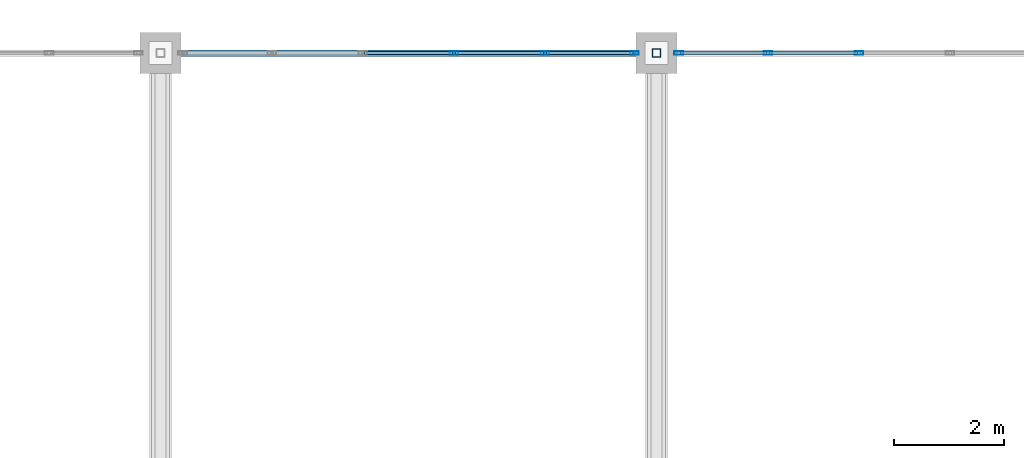
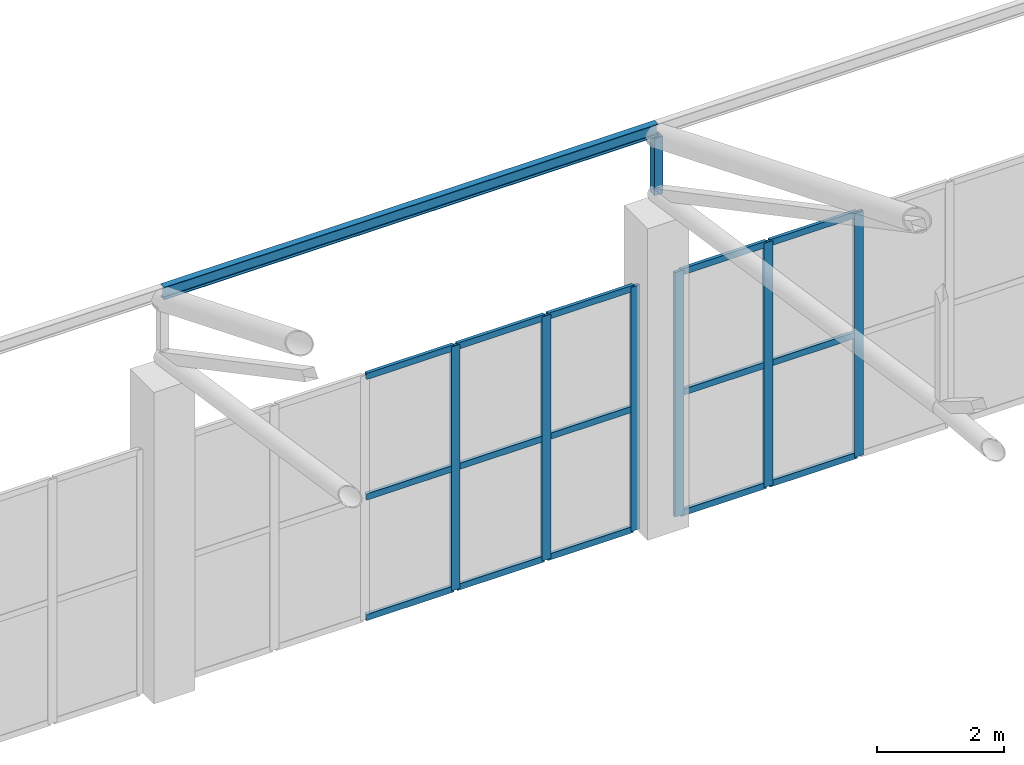
# One storey, part 161 of 223: 23 members, 2 elements without a shape of their own.
"""IFC4 building model written with IfcOpenShell, lengths in metres."""

from ifc_helpers import new_model, si_unit, direction, frame, origin, origin_2d, place, context, subcontext, project, spatial, hollow_rectangle, i_section, extrude, material, layer, layer_set, material_profile, profile_set, type_object, element, aggregate, save


model = new_model("IFC4")

# Units and contexts
model_context = context("Model", 3, precision=1e-05, world=origin(), true_north=direction((0.0, 1.0)))
body_context = subcontext(model_context, "Body", "Model", "MODEL_VIEW")
ifc_project = project(units=[si_unit("LENGTHUNIT", "METRE"), si_unit("AREAUNIT", "SQUARE_METRE"), si_unit("VOLUMEUNIT", "CUBIC_METRE"), si_unit("PLANEANGLEUNIT", "RADIAN"), si_unit("MASSUNIT", "GRAM", prefix="KILO")], contexts=[model_context])

# Site, building, storey
site_placement = place(None, origin())
site = spatial("IfcSite", under=ifc_project, at=site_placement, CompositionType="ELEMENT")
building_placement = place(site_placement, origin())
building = spatial("IfcBuilding", under=site, at=building_placement, Name="Dornveld Trade and Exhibition Forum", CompositionType="ELEMENT")
storey_placement = place(building_placement, frame((0.0, 0.0, 6.0)))
storey = spatial("IfcBuildingStorey", under=building, at=storey_placement, Name="L01", CompositionType="ELEMENT", Elevation=6.0)

# Curtain wall, members
ifc_material_1 = material(Name="Dark-bronze anodised aluminium and low-E glass", Category="aluminium")
ifc_layer_1 = layer(ifc_material_1, 0.193115234375)
ifc_layer_set_1 = layer_set([ifc_layer_1], Name="Dark-bronze anodised aluminium and low-E glass")
curtain_wall_type_1 = type_object("IfcCurtainWallType", Name="CW-SYS-17", PredefinedType="USERDEFINED", material=ifc_layer_set_1)
curtain_wall_1_placement = place(storey_placement, origin())
curtain_wall_1 = element("IfcCurtainWall", 1, at=curtain_wall_1_placement, inside=storey, type_object=curtain_wall_type_1, Name="L01 unitised curtain wall 143", ObjectType="UNITISED_CURTAIN_WALL", PredefinedType="USERDEFINED")
ifc_material_2 = material(Name="Dark-bronze anodised aluminium", Category="aluminium")
ifc_material_profile_1 = material_profile(ifc_material_2, hollow_rectangle(XDim=0.06005859375, YDim=0.159912109375, WallThickness=0.00390625, at=origin_2d()), Name="RHS 160x60x4")
ifc_profile_set_1 = profile_set([ifc_material_profile_1], Name="Dark-bronze anodised aluminium")
member_type_1 = type_object("IfcMemberType", Name="CW-MUL-160", PredefinedType="MULLION", material=ifc_profile_set_1)
member_1_placement = place(storey_placement, frame((152.59912109375, 162.0, -0.00390625), z_axis=(0.0, 0.0, 1.0), x_axis=(0.0, -1.0, 0.0)))
member_1 = element("IfcMember", 2, at=member_1_placement, type_object=member_type_1, Name="CW-17 mullion 1", PredefinedType="MULLION", context=body_context, shape_type="SweptSolid", body=[
    extrude(hollow_rectangle(XDim=0.06005859375, YDim=0.159912109375, WallThickness=0.00390625, at=origin_2d()), origin(), (0.0, 0.0, 1.0), 4.703857421875),
])
member_2_placement = place(storey_placement, frame((150.977294921875, 162.0, -0.00390625), z_axis=(0.0, 0.0, 1.0), x_axis=(0.0, -1.0, 0.0)))
member_2 = element("IfcMember", 3, at=member_2_placement, type_object=member_type_1, Name="CW-17 mullion 2", PredefinedType="MULLION", context=body_context, shape_type="SweptSolid", body=[
    extrude(hollow_rectangle(XDim=0.06005859375, YDim=0.159912109375, WallThickness=0.00390625, at=origin_2d()), origin(), (0.0, 0.0, 1.0), 4.703857421875),
])
member_3_placement = place(storey_placement, frame((149.32568359375, 162.0, -0.00390625), z_axis=(0.0, 0.0, 1.0), x_axis=(0.0, -1.0, 0.0)))
member_3 = element("IfcMember", 4, at=member_3_placement, type_object=member_type_1, Name="CW-17 mullion 3", PredefinedType="MULLION", context=body_context, shape_type="SweptSolid", body=[
    extrude(hollow_rectangle(XDim=0.06005859375, YDim=0.159912109375, WallThickness=0.00390625, at=origin_2d()), origin(), (0.0, 0.0, 1.0), 4.703857421875),
])

ifc_material_3 = material(Name="Dark-bronze anodised aluminium and low-E glass", Category="aluminium")
ifc_layer_2 = layer(ifc_material_3, 0.196044921875)
ifc_layer_set_2 = layer_set([ifc_layer_2], Name="Dark-bronze anodised aluminium and low-E glass")
curtain_wall_type_2 = type_object("IfcCurtainWallType", Name="CW-SYS-18", PredefinedType="USERDEFINED", material=ifc_layer_set_2)
curtain_wall_2_placement = place(storey_placement, origin())
curtain_wall_2 = element("IfcCurtainWall", 5, at=curtain_wall_2_placement, inside=storey, type_object=curtain_wall_type_2, Name="L01 unitised curtain wall 144", ObjectType="UNITISED_CURTAIN_WALL", PredefinedType="USERDEFINED")
member_4_placement = place(storey_placement, frame((156.67431640625, 162.0, -0.00390625), z_axis=(0.0, 0.0, 1.0), x_axis=(0.0, -1.0, 0.0)))
member_4 = element("IfcMember", 6, at=member_4_placement, type_object=member_type_1, Name="CW-18 mullion 4", PredefinedType="MULLION", context=body_context, shape_type="SweptSolid", body=[
    extrude(hollow_rectangle(XDim=0.06005859375, YDim=0.159912109375, WallThickness=0.00390625, at=origin_2d()), origin(), (0.0, 0.0, 1.0), 4.703857421875),
])
member_5_placement = place(storey_placement, frame((155.022705078125, 162.0, -0.00390625), z_axis=(0.0, 0.0, 1.0), x_axis=(0.0, -1.0, 0.0)))
member_5 = element("IfcMember", 7, at=member_5_placement, type_object=member_type_1, Name="CW-18 mullion 5", PredefinedType="MULLION", context=body_context, shape_type="SweptSolid", body=[
    extrude(hollow_rectangle(XDim=0.06005859375, YDim=0.159912109375, WallThickness=0.00390625, at=origin_2d()), origin(), (0.0, 0.0, 1.0), 4.703857421875),
])
member_6_placement = place(storey_placement, frame((153.40087890625, 162.0, -0.00390625), z_axis=(0.0, 0.0, 1.0), x_axis=(0.0, -1.0, 0.0)))
member_6 = element("IfcMember", 8, at=member_6_placement, type_object=member_type_1, Name="CW-18 mullion 6", PredefinedType="MULLION", context=body_context, shape_type="SweptSolid", body=[
    extrude(hollow_rectangle(XDim=0.06005859375, YDim=0.159912109375, WallThickness=0.00390625, at=origin_2d()), origin(), (0.0, 0.0, 1.0), 4.703857421875),
])

# Member
ifc_material_4 = material(Name="Dark-bronze anodised aluminium", Category="aluminium")
ifc_material_profile_2 = material_profile(ifc_material_4, hollow_rectangle(XDim=0.06005859375, YDim=0.1201171875, WallThickness=0.00390625, at=origin_2d()), Name="RHS 120x60x4")
ifc_profile_set_2 = profile_set([ifc_material_profile_2], Name="Dark-bronze anodised aluminium")
member_type_2 = type_object("IfcMemberType", Name="CW-TRN-120", PredefinedType="USERDEFINED", material=ifc_profile_set_2)
member_7_placement = place(storey_placement, frame((152.569091796875, 162.0, 0.02587890625), z_axis=(-1.0, 0.0, 0.0), x_axis=(0.0, -1.0, 0.0)))
member_7 = element("IfcMember", 9, at=member_7_placement, type_object=member_type_2, Name="CW-17 transom 1.1", ObjectType="TRANSOM", PredefinedType="USERDEFINED", context=body_context, shape_type="SweptSolid", body=[
    extrude(hollow_rectangle(XDim=0.06005859375, YDim=0.1201171875, WallThickness=0.00390625, at=origin_2d()), origin(), (0.0, 0.0, 1.0), 1.561767578125),
])

member_8_placement = place(storey_placement, frame((152.569091796875, 162.0, 2.347900390625), z_axis=(-1.0, 0.0, 0.0), x_axis=(0.0, -1.0, 0.0)))
member_8 = element("IfcMember", 10, at=member_8_placement, type_object=member_type_2, Name="CW-17 transom 1.2", ObjectType="TRANSOM", PredefinedType="USERDEFINED", context=body_context, shape_type="SweptSolid", body=[
    extrude(hollow_rectangle(XDim=0.06005859375, YDim=0.1201171875, WallThickness=0.00390625, at=origin_2d()), origin(), (0.0, 0.0, 1.0), 1.561767578125),
])

member_9_placement = place(storey_placement, frame((152.569091796875, 162.0, 4.669921875), z_axis=(-1.0, 0.0, 0.0), x_axis=(0.0, -1.0, 0.0)))
member_9 = element("IfcMember", 11, at=member_9_placement, type_object=member_type_2, Name="CW-17 transom 1.3", ObjectType="TRANSOM", PredefinedType="USERDEFINED", context=body_context, shape_type="SweptSolid", body=[
    extrude(hollow_rectangle(XDim=0.06005859375, YDim=0.1201171875, WallThickness=0.00390625, at=origin_2d()), origin(), (0.0, 0.0, 1.0), 1.561767578125),
])

member_10_placement = place(storey_placement, frame((150.947509765625, 162.0, 0.02587890625), z_axis=(-1.0, 0.0, 0.0), x_axis=(0.0, -1.0, 0.0)))
member_10 = element("IfcMember", 12, at=member_10_placement, type_object=member_type_2, Name="CW-17 transom 2.1", ObjectType="TRANSOM", PredefinedType="USERDEFINED", context=body_context, shape_type="SweptSolid", body=[
    extrude(hollow_rectangle(XDim=0.06005859375, YDim=0.1201171875, WallThickness=0.00390625, at=origin_2d()), origin(), (0.0, 0.0, 1.0), 1.591796875),
])

member_11_placement = place(storey_placement, frame((150.947509765625, 162.0, 2.347900390625), z_axis=(-1.0, 0.0, 0.0), x_axis=(0.0, -1.0, 0.0)))
member_11 = element("IfcMember", 13, at=member_11_placement, type_object=member_type_2, Name="CW-17 transom 2.2", ObjectType="TRANSOM", PredefinedType="USERDEFINED", context=body_context, shape_type="SweptSolid", body=[
    extrude(hollow_rectangle(XDim=0.06005859375, YDim=0.1201171875, WallThickness=0.00390625, at=origin_2d()), origin(), (0.0, 0.0, 1.0), 1.591796875),
])

member_12_placement = place(storey_placement, frame((150.947509765625, 162.0, 4.669921875), z_axis=(-1.0, 0.0, 0.0), x_axis=(0.0, -1.0, 0.0)))
member_12 = element("IfcMember", 14, at=member_12_placement, type_object=member_type_2, Name="CW-17 transom 2.3", ObjectType="TRANSOM", PredefinedType="USERDEFINED", context=body_context, shape_type="SweptSolid", body=[
    extrude(hollow_rectangle(XDim=0.06005859375, YDim=0.1201171875, WallThickness=0.00390625, at=origin_2d()), origin(), (0.0, 0.0, 1.0), 1.591796875),
])

member_13_placement = place(storey_placement, frame((149.2958984375, 162.0, 0.02587890625), z_axis=(-1.0, 0.0, 0.0), x_axis=(0.0, -1.0, 0.0)))
member_13 = element("IfcMember", 15, at=member_13_placement, type_object=member_type_2, Name="CW-17 transom 3.1", ObjectType="TRANSOM", PredefinedType="USERDEFINED", context=body_context, shape_type="SweptSolid", body=[
    extrude(hollow_rectangle(XDim=0.06005859375, YDim=0.1201171875, WallThickness=0.00390625, at=origin_2d()), origin(), (0.0, 0.0, 1.0), 1.591796875),
])

member_14_placement = place(storey_placement, frame((149.2958984375, 162.0, 2.347900390625), z_axis=(-1.0, 0.0, 0.0), x_axis=(0.0, -1.0, 0.0)))
member_14 = element("IfcMember", 16, at=member_14_placement, type_object=member_type_2, Name="CW-17 transom 3.2", ObjectType="TRANSOM", PredefinedType="USERDEFINED", context=body_context, shape_type="SweptSolid", body=[
    extrude(hollow_rectangle(XDim=0.06005859375, YDim=0.1201171875, WallThickness=0.00390625, at=origin_2d()), origin(), (0.0, 0.0, 1.0), 1.591796875),
])

member_15_placement = place(storey_placement, frame((149.2958984375, 162.0, 4.669921875), z_axis=(-1.0, 0.0, 0.0), x_axis=(0.0, -1.0, 0.0)))
member_15 = element("IfcMember", 17, at=member_15_placement, type_object=member_type_2, Name="CW-17 transom 3.3", ObjectType="TRANSOM", PredefinedType="USERDEFINED", context=body_context, shape_type="SweptSolid", body=[
    extrude(hollow_rectangle(XDim=0.06005859375, YDim=0.1201171875, WallThickness=0.00390625, at=origin_2d()), origin(), (0.0, 0.0, 1.0), 1.591796875),
])

aggregate(curtain_wall_1, [member_1, member_2, member_3, member_7, member_8, member_9, member_10, member_11, member_12, member_13, member_14, member_15])

member_16_placement = place(storey_placement, frame((156.644287109375, 162.0, 0.02587890625), z_axis=(-1.0, 0.0, 0.0), x_axis=(0.0, -1.0, 0.0)))
member_16 = element("IfcMember", 18, at=member_16_placement, type_object=member_type_2, Name="CW-18 transom 4.1", ObjectType="TRANSOM", PredefinedType="USERDEFINED", context=body_context, shape_type="SweptSolid", body=[
    extrude(hollow_rectangle(XDim=0.06005859375, YDim=0.1201171875, WallThickness=0.00390625, at=origin_2d()), origin(), (0.0, 0.0, 1.0), 1.591796875),
])

member_17_placement = place(storey_placement, frame((156.644287109375, 162.0, 2.347900390625), z_axis=(-1.0, 0.0, 0.0), x_axis=(0.0, -1.0, 0.0)))
member_17 = element("IfcMember", 19, at=member_17_placement, type_object=member_type_2, Name="CW-18 transom 4.2", ObjectType="TRANSOM", PredefinedType="USERDEFINED", context=body_context, shape_type="SweptSolid", body=[
    extrude(hollow_rectangle(XDim=0.06005859375, YDim=0.1201171875, WallThickness=0.00390625, at=origin_2d()), origin(), (0.0, 0.0, 1.0), 1.591796875),
])

member_18_placement = place(storey_placement, frame((156.644287109375, 162.0, 4.669921875), z_axis=(-1.0, 0.0, 0.0), x_axis=(0.0, -1.0, 0.0)))
member_18 = element("IfcMember", 20, at=member_18_placement, type_object=member_type_2, Name="CW-18 transom 4.3", ObjectType="TRANSOM", PredefinedType="USERDEFINED", context=body_context, shape_type="SweptSolid", body=[
    extrude(hollow_rectangle(XDim=0.06005859375, YDim=0.1201171875, WallThickness=0.00390625, at=origin_2d()), origin(), (0.0, 0.0, 1.0), 1.591796875),
])

member_19_placement = place(storey_placement, frame((154.99267578125, 162.0, 0.02587890625), z_axis=(-1.0, 0.0, 0.0), x_axis=(0.0, -1.0, 0.0)))
member_19 = element("IfcMember", 21, at=member_19_placement, type_object=member_type_2, Name="CW-18 transom 5.1", ObjectType="TRANSOM", PredefinedType="USERDEFINED", context=body_context, shape_type="SweptSolid", body=[
    extrude(hollow_rectangle(XDim=0.06005859375, YDim=0.1201171875, WallThickness=0.00390625, at=origin_2d()), origin(), (0.0, 0.0, 1.0), 1.561767578125),
])

member_20_placement = place(storey_placement, frame((154.99267578125, 162.0, 2.347900390625), z_axis=(-1.0, 0.0, 0.0), x_axis=(0.0, -1.0, 0.0)))
member_20 = element("IfcMember", 22, at=member_20_placement, type_object=member_type_2, Name="CW-18 transom 5.2", ObjectType="TRANSOM", PredefinedType="USERDEFINED", context=body_context, shape_type="SweptSolid", body=[
    extrude(hollow_rectangle(XDim=0.06005859375, YDim=0.1201171875, WallThickness=0.00390625, at=origin_2d()), origin(), (0.0, 0.0, 1.0), 1.561767578125),
])

member_21_placement = place(storey_placement, frame((154.99267578125, 162.0, 4.669921875), z_axis=(-1.0, 0.0, 0.0), x_axis=(0.0, -1.0, 0.0)))
member_21 = element("IfcMember", 23, at=member_21_placement, type_object=member_type_2, Name="CW-18 transom 5.3", ObjectType="TRANSOM", PredefinedType="USERDEFINED", context=body_context, shape_type="SweptSolid", body=[
    extrude(hollow_rectangle(XDim=0.06005859375, YDim=0.1201171875, WallThickness=0.00390625, at=origin_2d()), origin(), (0.0, 0.0, 1.0), 1.561767578125),
])

aggregate(curtain_wall_2, [member_4, member_5, member_6, member_16, member_17, member_18, member_19, member_20, member_21])

# Members
ifc_material_5 = material(Name="Steel S355J2", Category="steel")
ifc_material_profile_3 = material_profile(ifc_material_5, hollow_rectangle(XDim=0.14990234375, YDim=0.14990234375, WallThickness=0.008056640625, at=origin_2d()), Name="SHS 150x150x8")
ifc_profile_set_3 = profile_set([ifc_material_profile_3], Name="Steel S355J2")
member_type_3 = type_object("IfcMemberType", Name="MEM-ARCH-STR", PredefinedType="STRUT", material=ifc_profile_set_3)
member_22_placement = place(storey_placement, frame((153.0, 162.0, 6.35009765625), z_axis=(0.0, 0.0, 1.0), x_axis=(1.0, 0.0, 0.0)))
element("IfcMember", 24, at=member_22_placement, inside=storey, type_object=member_type_3, Name="H1 truss 7 end strut", PredefinedType="STRUT", context=body_context, shape_type="SweptSolid", body=[
    extrude(hollow_rectangle(XDim=0.14990234375, YDim=0.14990234375, WallThickness=0.008056640625, at=origin_2d()), origin(), (0.0, 0.0, 1.0), 1.099853515625),
])
ifc_material_6 = material(Name="Steel S355J2", Category="steel")
ifc_material_profile_4 = material_profile(ifc_material_6, i_section(OverallWidth=0.1201171875, OverallDepth=0.239990234375, WebThickness=0.006103515625, FlangeThickness=0.009765625, FilletRadius=0.014892578125, at=origin_2d()), Name="IPE 240")
ifc_profile_set_4 = profile_set([ifc_material_profile_4], Name="Steel S355J2")
member_type_4 = type_object("IfcMemberType", Name="MEM-PURLIN-240", PredefinedType="PURLIN", material=ifc_profile_set_4)
member_23_placement = place(storey_placement, frame((144.0, 162.0, 7.58203125), z_axis=(1.0, 0.0, 0.0), x_axis=(0.0, 1.0, 0.0)))
element("IfcMember", 25, at=member_23_placement, inside=storey, type_object=member_type_4, Name="H1 bay 6 roof purlin 7", PredefinedType="PURLIN", context=body_context, shape_type="SweptSolid", body=[
    extrude(i_section(OverallWidth=0.1201171875, OverallDepth=0.239990234375, WebThickness=0.006103515625, FlangeThickness=0.009765625, FilletRadius=0.014892578125, at=origin_2d()), origin(), (0.0, 0.0, 1.0), 9.0),
])

save(model, "model.ifc")
